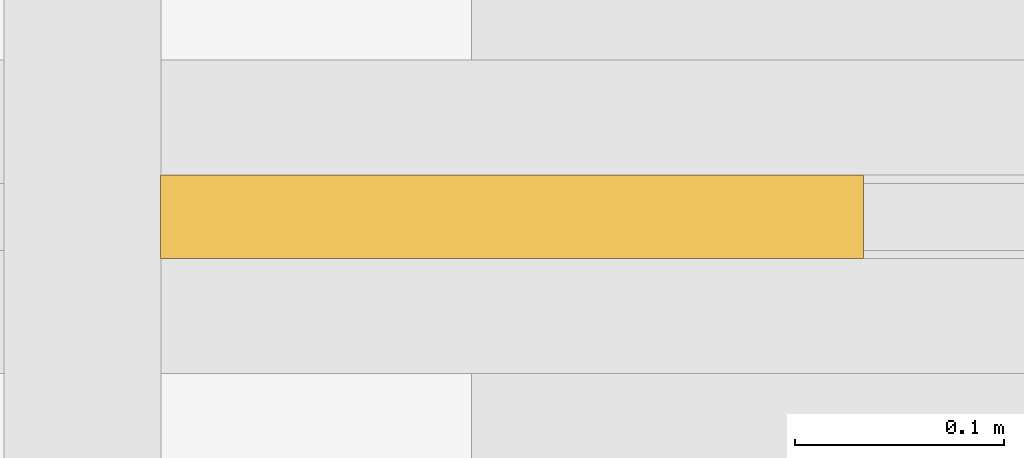
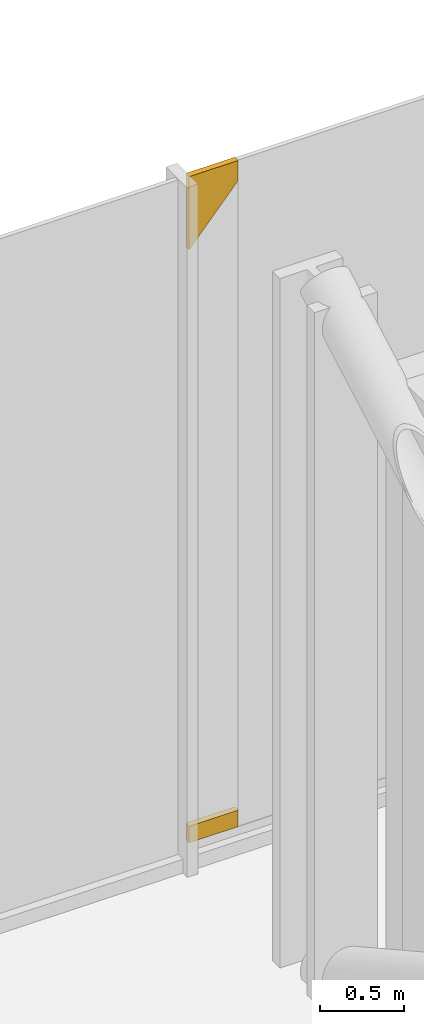
# One storey, part 24 of 25: 2 coverings.
"""IFC4 building model written with IfcOpenShell, lengths in metres."""

from ifc_helpers import new_model, si_unit, direction, frame, origin, place, context, subcontext, project, spatial, polyline, outline, extrude, material, layer, layer_set, type_object, element, save


model = new_model("IFC4")

# Units and contexts
model_context = context("Model", 3, precision=1e-05, world=origin(), true_north=direction((0.0, 1.0)))
body_context = subcontext(model_context, "Body", "Model", "MODEL_VIEW")
ifc_project = project(units=[si_unit("LENGTHUNIT", "METRE"), si_unit("AREAUNIT", "SQUARE_METRE"), si_unit("VOLUMEUNIT", "CUBIC_METRE"), si_unit("PLANEANGLEUNIT", "RADIAN"), si_unit("MASSUNIT", "GRAM", prefix="KILO")], contexts=[model_context])

# Site, building, storey
site_placement = place(None, origin())
site = spatial("IfcSite", under=ifc_project, at=site_placement, CompositionType="ELEMENT")
building_placement = place(site_placement, origin())
building = spatial("IfcBuilding", under=site, at=building_placement, Name="Malebo Sky Hospital", CompositionType="ELEMENT")
storey_placement = place(building_placement, frame((0.0, 0.0, 6.0)))
storey = spatial("IfcBuildingStorey", under=building, at=storey_placement, Name="L01", CompositionType="ELEMENT", Elevation=6.0)

# Coverings
ifc_material = material(Name="Anodised aluminium, natural silver insulated infill panel", Category="aluminium")
ifc_layer = layer(ifc_material, 0.0400390625)
ifc_layer_set = layer_set([ifc_layer], Name="BRACE INFILL PANEL 40")
covering_type = type_object("IfcCoveringType", Name="BRACE INFILL PANEL 40", PredefinedType="CLADDING", material=ifc_layer_set)
covering_1_placement = place(storey_placement, frame((15.51953125, 85.875, 0.16015625), z_axis=(0.0, 0.0, 1.0), x_axis=(-1.0, 0.0, 0.0)))
element("IfcCovering", 1, at=covering_1_placement, inside=storey, type_object=covering_type, Name="Brace infill panel 6.3", PredefinedType="CLADDING", context=body_context, shape_type="SweptSolid", body=[
    extrude(outline(polyline([(-0.167724609375, 0.0), (0.16796875, 0.0), (0.16796875, 0.119873046875), (-0.167724609375, 0.119873046875), (-0.167724609375, 0.0)])), frame((0.0, 0.02001953125, 0.0), z_axis=(0.0, -1.0, 0.0), x_axis=(1.0, 0.0, 0.0)), (0.0, 0.0, 1.0), 0.0400390625),
])
covering_2_placement = place(storey_placement, frame((15.51953125, 85.875, 4.460205078125), z_axis=(0.0, 0.0, 1.0), x_axis=(-1.0, 0.0, 0.0)))
element("IfcCovering", 2, at=covering_2_placement, inside=storey, type_object=covering_type, Name="Brace infill panel 6.4", PredefinedType="CLADDING", context=body_context, shape_type="SweptSolid", body=[
    extrude(outline(polyline([(0.16796875, 0.0), (0.16796875, 0.52978515625), (-0.167724609375, 0.52978515625), (-0.167724609375, 0.3837890625), (0.16796875, 0.0)])), frame((0.0, 0.02001953125, 0.0), z_axis=(0.0, -1.0, 0.0), x_axis=(1.0, 0.0, 0.0)), (0.0, 0.0, 1.0), 0.0400390625),
])

save(model, "model.ifc")
